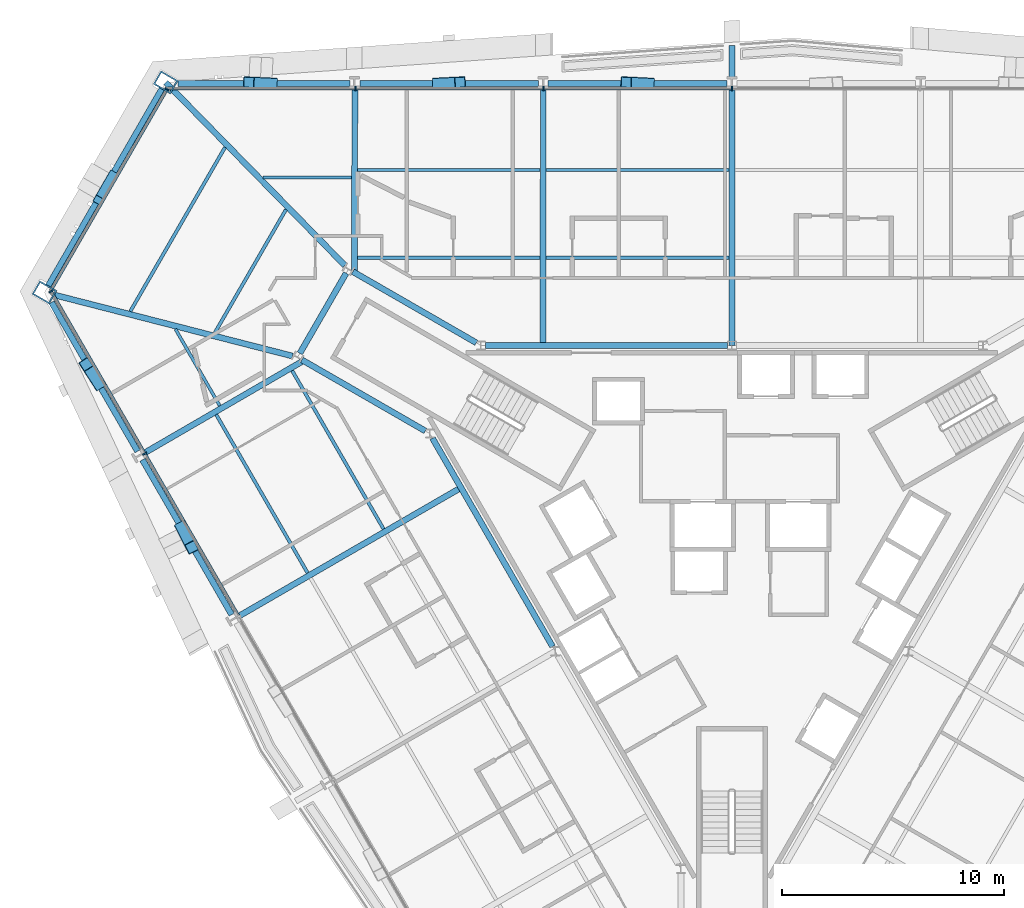
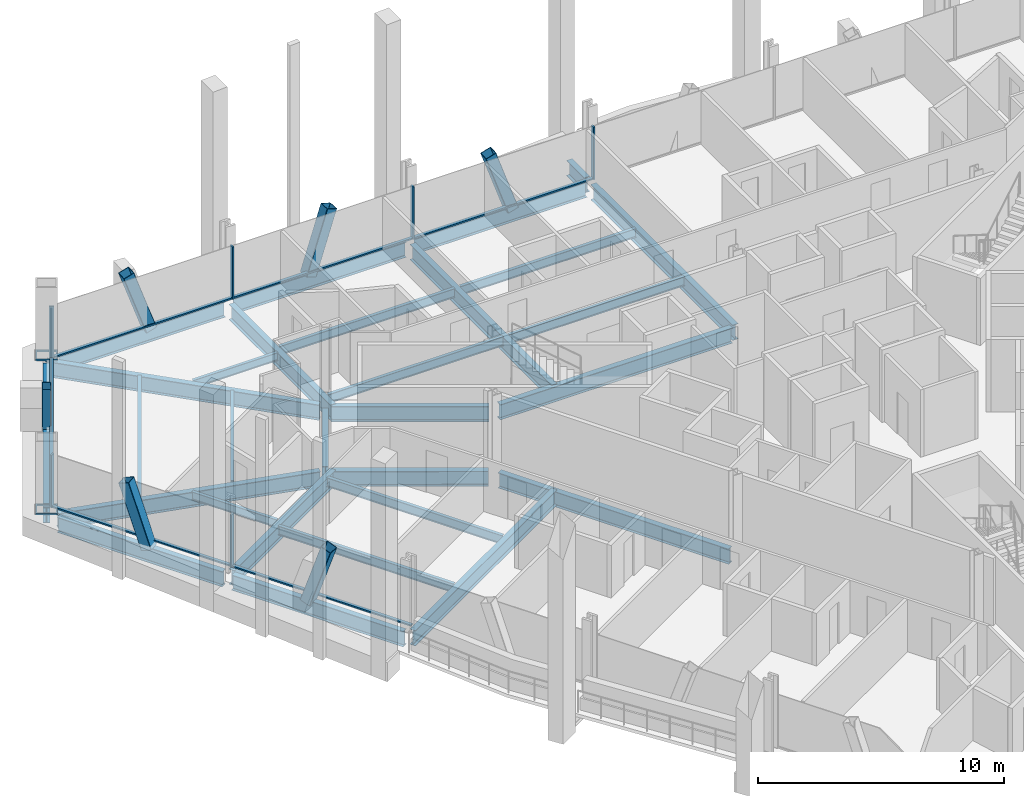
# One storey, part 5 of 18: 29 beams, 20 members, 3 elements without a shape of their own.
"""IFC4 building model written with IfcOpenShell, lengths in metres."""

from ifc_helpers import new_model, si_unit, direction, frame, origin, origin_2d, place, context, subcontext, project, spatial, rectangle, hollow_rectangle, i_section, extrude, material, material_profile, profile_set, type_object, element, aggregate, save


model = new_model("IFC4")

# Units and contexts
model_context = context("Model", 3, precision=1e-05, world=origin(), true_north=direction((0.0, 1.0)))
body_context = subcontext(model_context, "Body", "Model", "MODEL_VIEW")
ifc_project = project(units=[si_unit("LENGTHUNIT", "METRE"), si_unit("AREAUNIT", "SQUARE_METRE"), si_unit("VOLUMEUNIT", "CUBIC_METRE"), si_unit("PLANEANGLEUNIT", "RADIAN"), si_unit("MASSUNIT", "GRAM", prefix="KILO")], contexts=[model_context])

# Site, building, storey
site_placement = place(None, origin())
site = spatial("IfcSite", under=ifc_project, at=site_placement, CompositionType="ELEMENT")
building_placement = place(site_placement, origin())
building = spatial("IfcBuilding", under=site, at=building_placement, Name="Verrane Prism Tower", CompositionType="ELEMENT")
storey_placement = place(building_placement, frame((0.0, 0.0, 47.60009765625)))
storey = spatial("IfcBuildingStorey", under=building, at=storey_placement, Name="L09", CompositionType="ELEMENT", Elevation=47.60009765625)

# Member
ifc_material_1 = material(Name="Steel A500 Grade C", Category="steel")
ifc_material_profile_1 = material_profile(ifc_material_1, hollow_rectangle(XDim=0.355712890625, YDim=0.355712890625, WallThickness=0.0126953125, InnerFilletRadius=0.00634765625, OuterFilletRadius=0.01904296875, at=origin_2d()), Name="HSS14x14x1/2")
ifc_profile_set_1 = profile_set([ifc_material_profile_1], Name="Steel A500 Grade C")
member_type_1 = type_object("IfcMemberType", Name="Chamfer brace HSS14x14x1/2", PredefinedType="BRACE", material=ifc_profile_set_1)
member_1_placement = place(storey_placement, frame((-27.958984375, 16.89501953125, -0.2451171875), z_axis=(-0.19910006136, -0.345106773023, 0.917202529859), x_axis=(0.866185586049, -0.49972245349, 0.0)))
element("IfcMember", 1, at=member_1_placement, inside=storey, type_object=member_type_1, Name="Chamfer brace NW0 L09", PredefinedType="BRACE", context=body_context, shape_type="SweptSolid", body=[
    extrude(hollow_rectangle(XDim=0.355712890625, YDim=0.355712890625, WallThickness=0.0126953125, InnerFilletRadius=0.00634765625, OuterFilletRadius=0.01904296875, at=origin_2d()), origin(), (0.0, 0.0, 1.0), 3.27392578125),
])

# Beams
ifc_material_2 = material(Name="Steel A992", Category="steel")
ifc_material_profile_2 = material_profile(ifc_material_2, i_section(OverallWidth=0.2666015625, OverallDepth=0.76708984375, WebThickness=0.014892578125, FlangeThickness=0.023681640625, FilletRadius=0.0166015625, at=origin_2d()), Name="W30x124")
ifc_profile_set_2 = profile_set([ifc_material_profile_2], Name="Steel A992")
beam_type_1 = type_object("IfcBeamType", Name="Chamfer spandrel beam W30x124", PredefinedType="SPANDREL", material=ifc_profile_set_2)
beam_1_placement = place(storey_placement, frame((-25.724853515625, 20.766845703125, -0.543701171875), z_axis=(-0.499796720239, -0.866142735603, 0.0), x_axis=(0.866142735603, -0.499796720239, 0.0)))
element("IfcBeam", 2, at=beam_1_placement, inside=storey, type_object=beam_type_1, Name="Chamfer spandrel beam L09", PredefinedType="SPANDREL", context=body_context, shape_type="SweptSolid", body=[
    extrude(i_section(OverallWidth=0.2666015625, OverallDepth=0.76708984375, WebThickness=0.014892578125, FlangeThickness=0.023681640625, FilletRadius=0.0166015625, at=origin_2d()), origin(), (0.0, 0.0, 1.0), 10.244873046875),
])
ifc_material_3 = material(Name="Steel A992", Category="steel")
ifc_material_profile_3 = material_profile(ifc_material_3, i_section(OverallWidth=0.2666015625, OverallDepth=0.7568359375, WebThickness=0.013916015625, FlangeThickness=0.019287109375, FilletRadius=0.0166015625, at=origin_2d()), Name="W30x108")
ifc_profile_set_3 = profile_set([ifc_material_profile_3], Name="Steel A992")
beam_type_2 = type_object("IfcBeamType", Name="Core ring girder W30x108", PredefinedType="BEAM", material=ifc_profile_set_3)
beam_2_placement = place(storey_placement, frame((-0.203125, 9.199951171875, -0.628662109375), z_axis=(-1.0, 0.0, 0.0), x_axis=(0.0, -1.0, 0.0)))
element("IfcBeam", 3, at=beam_2_placement, inside=storey, type_object=beam_type_2, Name="Core ring girder L09", PredefinedType="BEAM", context=body_context, shape_type="SweptSolid", body=[
    extrude(i_section(OverallWidth=0.2666015625, OverallDepth=0.7568359375, WebThickness=0.013916015625, FlangeThickness=0.019287109375, FilletRadius=0.0166015625, at=origin_2d()), origin(), (0.0, 0.0, 1.0), 10.923583984375),
])
beam_3_placement = place(storey_placement, frame((-11.533203125, 9.317138671875, -0.628662109375), z_axis=(-0.866447229751, 0.499268663203, 0.0), x_axis=(-0.499268663203, -0.866447229751, 0.0)))
element("IfcBeam", 4, at=beam_3_placement, inside=storey, type_object=beam_type_2, Name="Core ring girder L09", PredefinedType="BEAM", context=body_context, shape_type="SweptSolid", body=[
    extrude(i_section(OverallWidth=0.2666015625, OverallDepth=0.7568359375, WebThickness=0.013916015625, FlangeThickness=0.019287109375, FilletRadius=0.0166015625, at=origin_2d()), origin(), (0.0, 0.0, 1.0), 6.428466796875),
])
beam_4_placement = place(storey_placement, frame((-17.40478515625, 12.45849609375, -0.628662109375), z_axis=(-0.500349643494, -0.865823442888, 0.0), x_axis=(0.865823442888, -0.500349643494, 0.0)))
element("IfcBeam", 5, at=beam_4_placement, inside=storey, type_object=beam_type_2, Name="Core ring girder L09", PredefinedType="BEAM", context=body_context, shape_type="SweptSolid", body=[
    extrude(i_section(OverallWidth=0.2666015625, OverallDepth=0.7568359375, WebThickness=0.013916015625, FlangeThickness=0.019287109375, FilletRadius=0.0166015625, at=origin_2d()), origin(), (0.0, 0.0, 1.0), 4.177734375),
])
beam_5_placement = place(storey_placement, frame((-19.403076171875, 8.54638671875, -0.628662109375), z_axis=(0.86646365882, -0.499240150574, 0.0), x_axis=(0.499240150574, 0.86646365882, 0.0)))
element("IfcBeam", 6, at=beam_5_placement, inside=storey, type_object=beam_type_2, Name="Core ring girder L09", PredefinedType="BEAM", context=body_context, shape_type="SweptSolid", body=[
    extrude(i_section(OverallWidth=0.2666015625, OverallDepth=0.7568359375, WebThickness=0.013916015625, FlangeThickness=0.019287109375, FilletRadius=0.0166015625, at=origin_2d()), origin(), (0.0, 0.0, 1.0), 6.42822265625),
])
beam_6_placement = place(storey_placement, frame((-13.510009765625, 5.01171875, -0.628662109375), z_axis=(0.499371892062, -0.866387738498, 0.0), x_axis=(0.866387738498, 0.499371892062, 0.0)))
element("IfcBeam", 7, at=beam_6_placement, inside=storey, type_object=beam_type_2, Name="Core ring girder L09", PredefinedType="BEAM", context=body_context, shape_type="SweptSolid", body=[
    extrude(i_section(OverallWidth=0.2666015625, OverallDepth=0.7568359375, WebThickness=0.013916015625, FlangeThickness=0.019287109375, FilletRadius=0.0166015625, at=origin_2d()), origin(), (0.0, 0.0, 1.0), 10.853515625),
])
ifc_material_4 = material(Name="Steel A992", Category="steel")
ifc_material_profile_4 = material_profile(ifc_material_4, i_section(OverallWidth=0.2666015625, OverallDepth=0.76708984375, WebThickness=0.014892578125, FlangeThickness=0.023681640625, FilletRadius=0.0166015625, at=origin_2d()), Name="W30x124")
ifc_profile_set_4 = profile_set([ifc_material_profile_4], Name="Steel A992")
beam_type_3 = type_object("IfcBeamType", Name="Corner girder W30x124", PredefinedType="BEAM", material=ifc_profile_set_4)
beam_7_placement = place(storey_placement, frame((-25.548828125, 21.06884765625, -0.603515625), z_axis=(0.699429302474, -0.714701791547, 0.0), x_axis=(0.714701791547, 0.699429302474, 0.0)))
element("IfcBeam", 8, at=beam_7_placement, inside=storey, type_object=beam_type_3, Name="Corner girder L09", PredefinedType="BEAM", context=body_context, shape_type="SweptSolid", body=[
    extrude(i_section(OverallWidth=0.2666015625, OverallDepth=0.76708984375, WebThickness=0.014892578125, FlangeThickness=0.023681640625, FilletRadius=0.0166015625, at=origin_2d()), origin(), (0.0, 0.0, 1.0), 11.5576171875),
])
beam_8_placement = place(storey_placement, frame((-30.5673828125, 11.473876953125, -0.603515625), z_axis=(0.968629214838, -0.248510450813, 0.0), x_axis=(0.248510450813, 0.968629214838, 0.0)))
element("IfcBeam", 9, at=beam_8_placement, inside=storey, type_object=beam_type_3, Name="Corner girder L09", PredefinedType="BEAM", context=body_context, shape_type="SweptSolid", body=[
    extrude(i_section(OverallWidth=0.2666015625, OverallDepth=0.76708984375, WebThickness=0.014892578125, FlangeThickness=0.023681640625, FilletRadius=0.0166015625, at=origin_2d()), origin(), (0.0, 0.0, 1.0), 11.086669921875),
])

# Members
ifc_material_5 = material(Name="Steel A1085 Grade A", Category="steel")
ifc_material_profile_5 = material_profile(ifc_material_5, hollow_rectangle(XDim=0.508056640625, YDim=0.508056640625, WallThickness=0.025390625, InnerFilletRadius=0.0126953125, OuterFilletRadius=0.0380859375, at=origin_2d()), Name="HSS20x20x1")
ifc_profile_set_5 = profile_set([ifc_material_profile_5], Name="Steel A1085 Grade A")
member_type_2 = type_object("IfcMemberType", Name="Facade brace HSS20x20x1", PredefinedType="BRACE", material=ifc_profile_set_5)
member_2_placement = place(storey_placement, frame((-3.74755859375, 21.019287109375, -0.24267578125), z_axis=(-0.321300829182, 0.015984351225, 0.946842266527), x_axis=(-0.049687414985, -0.998764817558, 0.0)))
element("IfcMember", 10, at=member_2_placement, inside=storey, type_object=member_type_2, Name="Facade brace N3 L09", PredefinedType="BRACE", context=body_context, shape_type="SweptSolid", body=[
    extrude(hollow_rectangle(XDim=0.508056640625, YDim=0.508056640625, WallThickness=0.025390625, InnerFilletRadius=0.0126953125, OuterFilletRadius=0.0380859375, at=origin_2d()), origin(), (0.0, 0.0, 1.0), 3.177001953125),
])
member_3_placement = place(storey_placement, frame((-13.26904296875, 21.019287109375, -0.24267578125), z_axis=(0.316325789682, 0.016012597774, 0.948515467188), x_axis=(-0.050555857115, 0.998721235036, 0.0)))
element("IfcMember", 11, at=member_3_placement, inside=storey, type_object=member_type_2, Name="Facade brace N4 L09", PredefinedType="BRACE", context=body_context, shape_type="SweptSolid", body=[
    extrude(hollow_rectangle(XDim=0.508056640625, YDim=0.508056640625, WallThickness=0.025390625, InnerFilletRadius=0.0126953125, OuterFilletRadius=0.0380859375, at=origin_2d()), origin(), (0.0, 0.0, 1.0), 3.17138671875),
])
member_4_placement = place(storey_placement, frame((-20.759765625, 21.019287109375, -0.24267578125), z_axis=(-0.325838040976, 0.015958161649, 0.945290911905), x_axis=(-0.048917115844, -0.998802841294, 0.0)))
element("IfcMember", 12, at=member_4_placement, inside=storey, type_object=member_type_2, Name="Facade brace N5 L09", PredefinedType="BRACE", context=body_context, shape_type="SweptSolid", body=[
    extrude(hollow_rectangle(XDim=0.508056640625, YDim=0.508056640625, WallThickness=0.025390625, InnerFilletRadius=0.0126953125, OuterFilletRadius=0.0380859375, at=origin_2d()), origin(), (0.0, 0.0, 1.0), 3.18212890625),
])
member_5_placement = place(storey_placement, frame((-28.581298828125, 7.4716796875, -0.24267578125), z_axis=(-0.176632688718, 0.273926454702, 0.945391554167), x_axis=(-0.840428081758, -0.541923093615, 0.0)))
element("IfcMember", 13, at=member_5_placement, inside=storey, type_object=member_type_2, Name="Facade brace SW0 L09", PredefinedType="BRACE", context=body_context, shape_type="SweptSolid", body=[
    extrude(hollow_rectangle(XDim=0.508056640625, YDim=0.508056640625, WallThickness=0.025390625, InnerFilletRadius=0.0126953125, OuterFilletRadius=0.0380859375, at=origin_2d()), origin(), (0.0, 0.0, 1.0), 3.181884765625),
])
member_6_placement = place(storey_placement, frame((-24.838134765625, 0.983642578125, -0.24267578125), z_axis=(0.144253831639, -0.282272572369, 0.948426605988), x_axis=(0.890458735795, 0.455063995331, 0.0)))
element("IfcMember", 14, at=member_6_placement, inside=storey, type_object=member_type_2, Name="Facade brace SW1 L09", PredefinedType="BRACE", context=body_context, shape_type="SweptSolid", body=[
    extrude(hollow_rectangle(XDim=0.508056640625, YDim=0.508056640625, WallThickness=0.025390625, InnerFilletRadius=0.0126953125, OuterFilletRadius=0.0380859375, at=origin_2d()), origin(), (0.0, 0.0, 1.0), 3.171630859375),
])

# Beams
ifc_material_6 = material(Name="Steel A992", Category="steel")
ifc_material_profile_6 = material_profile(ifc_material_6, i_section(OverallWidth=0.140380859375, OverallDepth=0.40380859375, WebThickness=0.007080078125, FlangeThickness=0.01123046875, FilletRadius=0.01025390625, at=origin_2d()), Name="W16x31")
ifc_profile_set_6 = profile_set([ifc_material_profile_6], Name="Steel A992")
beam_type_4 = type_object("IfcBeamType", Name="Floor beam W16x31", PredefinedType="BEAM", material=ifc_profile_set_6)
beam_9_placement = place(storey_placement, frame((-21.159912109375, 16.77490234375, -0.362060546875), z_axis=(1.0, 0.0, 0.0), x_axis=(0.0, 1.0, 0.0)))
element("IfcBeam", 15, at=beam_9_placement, inside=storey, type_object=beam_type_4, Name="Floor beam L09", PredefinedType="BEAM", context=body_context, shape_type="SweptSolid", body=[
    extrude(i_section(OverallWidth=0.140380859375, OverallDepth=0.40380859375, WebThickness=0.007080078125, FlangeThickness=0.01123046875, FilletRadius=0.01025390625, at=origin_2d()), origin(), (0.0, 0.0, 1.0), 3.996337890625),
])
beam_10_placement = place(storey_placement, frame((-23.113525390625, 6.4794921875, -0.362060546875), z_axis=(-0.500001357645, 0.866024619946, 0.0), x_axis=(-0.866024619946, -0.500001357645, 0.0)))
element("IfcBeam", 16, at=beam_10_placement, inside=storey, type_object=beam_type_4, Name="Floor beam L09", PredefinedType="BEAM", context=body_context, shape_type="SweptSolid", body=[
    extrude(i_section(OverallWidth=0.140380859375, OverallDepth=0.40380859375, WebThickness=0.007080078125, FlangeThickness=0.01123046875, FilletRadius=0.01025390625, at=origin_2d()), origin(), (0.0, 0.0, 1.0), 3.99072265625),
])
ifc_material_7 = material(Name="Steel A992", Category="steel")
ifc_material_profile_7 = material_profile(ifc_material_7, i_section(OverallWidth=0.15234375, OverallDepth=0.449462890625, WebThickness=0.007568359375, FlangeThickness=0.0107421875, FilletRadius=0.01025390625, at=origin_2d()), Name="W18x35")
ifc_profile_set_7 = profile_set([ifc_material_profile_7], Name="Steel A992")
beam_type_5 = type_object("IfcBeamType", Name="Floor beam W18x35", PredefinedType="BEAM", material=ifc_profile_set_7)
for number, where, z_axis, x_axis, name in (
    (17, (-8.386474609375, 13.15673828125, -0.385009765625), (1.0, 0.0, 0.0), (0.0, 1.0, 0.0), "Floor beam L09"),
    (18, (-8.386474609375, 17.11328125, -0.385009765625), (1.0, 0.0, 0.0), (0.0, 1.0, 0.0), "Floor beam L09"),
):
    element("IfcBeam", number, at=place(storey_placement, frame(where, z_axis=z_axis, x_axis=x_axis)), inside=storey, type_object=beam_type_5, Name=name, PredefinedType="BEAM", context=body_context, shape_type="SweptSolid", body=[
        extrude(i_section(OverallWidth=0.15234375, OverallDepth=0.449462890625, WebThickness=0.007568359375, FlangeThickness=0.0107421875, FilletRadius=0.01025390625, at=origin_2d()), origin(), (0.0, 0.0, 1.0), 8.2529296875),
    ])
for number, where, z_axis, x_axis, name in (
    (19, (-16.896484375, 13.15673828125, -0.385009765625), (1.0, 0.0, 0.0), (0.0, 1.0, 0.0), "Floor beam L09"),
    (20, (-16.896484375, 17.11328125, -0.385009765625), (1.0, 0.0, 0.0), (0.0, 1.0, 0.0), "Floor beam L09"),
):
    element("IfcBeam", number, at=place(storey_placement, frame(where, z_axis=z_axis, x_axis=x_axis)), inside=storey, type_object=beam_type_5, Name=name, PredefinedType="BEAM", context=body_context, shape_type="SweptSolid", body=[
        extrude(i_section(OverallWidth=0.15234375, OverallDepth=0.449462890625, WebThickness=0.007568359375, FlangeThickness=0.0107421875, FilletRadius=0.01025390625, at=origin_2d()), origin(), (0.0, 0.0, 1.0), 8.242919921875),
    ])
beam_11_placement = place(storey_placement, frame((-15.716796875, 0.91552734375, -0.385009765625), z_axis=(-0.499996545922, 0.866027397988, 0.0), x_axis=(-0.866027397988, -0.499996545922, 0.0)))
element("IfcBeam", 21, at=beam_11_placement, inside=storey, type_object=beam_type_5, Name="Floor beam L09", PredefinedType="BEAM", context=body_context, shape_type="SweptSolid", body=[
    extrude(i_section(OverallWidth=0.15234375, OverallDepth=0.449462890625, WebThickness=0.007568359375, FlangeThickness=0.0107421875, FilletRadius=0.01025390625, at=origin_2d()), origin(), (0.0, 0.0, 1.0), 8.25),
])
beam_12_placement = place(storey_placement, frame((-19.146728515625, -1.064453125, -0.385009765625), z_axis=(-0.499987164874, 0.866032814021, 0.0), x_axis=(-0.866032814021, -0.499987164874, 0.0)))
element("IfcBeam", 22, at=beam_12_placement, inside=storey, type_object=beam_type_5, Name="Floor beam L09", PredefinedType="BEAM", context=body_context, shape_type="SweptSolid", body=[
    extrude(i_section(OverallWidth=0.15234375, OverallDepth=0.449462890625, WebThickness=0.007568359375, FlangeThickness=0.0107421875, FilletRadius=0.01025390625, at=origin_2d()), origin(), (0.0, 0.0, 1.0), 8.249755859375),
])
beam_13_placement = place(storey_placement, frame((-23.337158203125, 9.756591796875, -0.385009765625), z_axis=(0.49999063097, 0.866030812929, 0.0), x_axis=(-0.866030812929, 0.49999063097, 0.0)))
element("IfcBeam", 23, at=beam_13_placement, inside=storey, type_object=beam_type_5, Name="Floor beam L09", PredefinedType="BEAM", context=body_context, shape_type="SweptSolid", body=[
    extrude(i_section(OverallWidth=0.15234375, OverallDepth=0.449462890625, WebThickness=0.007568359375, FlangeThickness=0.0107421875, FilletRadius=0.01025390625, at=origin_2d()), origin(), (0.0, 0.0, 1.0), 6.435546875),
])
beam_14_placement = place(storey_placement, frame((-27.145263671875, 10.733642578125, -0.385009765625), z_axis=(0.499989342298, 0.866031556924, 0.0), x_axis=(-0.866031556924, 0.499989342298, 0.0)))
element("IfcBeam", 24, at=beam_14_placement, inside=storey, type_object=beam_type_5, Name="Floor beam L09", PredefinedType="BEAM", context=body_context, shape_type="SweptSolid", body=[
    extrude(i_section(OverallWidth=0.15234375, OverallDepth=0.449462890625, WebThickness=0.007568359375, FlangeThickness=0.0107421875, FilletRadius=0.01025390625, at=origin_2d()), origin(), (0.0, 0.0, 1.0), 8.552001953125),
])

# Members
ifc_material_8 = material(Name="Steel A572 Grade 50", Category="steel")
ifc_material_profile_8 = material_profile(ifc_material_8, hollow_rectangle(XDim=0.699951171875, YDim=0.89990234375, WallThickness=0.06494140625, at=origin_2d()), Name="BOX 900x700x65")
ifc_profile_set_8 = profile_set([ifc_material_profile_8], Name="Steel A572 Grade 50")
member_type_3 = type_object("IfcMemberType", Name="Kink node BOX 900x700x65", PredefinedType="COLLAR", material=ifc_profile_set_8)
for number, where, z_axis, x_axis, name in (
    (25, (-25.549072265625, 21.068359375, -0.0400390625), (0.0, 0.0, 1.0), (0.5, 0.866025403784, 0.0), "Kink node MC3 L09"),
    (26, (-31.01806640625, 11.590087890625, -0.0400390625), (0.0, 0.0, 1.0), (0.5, 0.866025403784, 0.0), "Kink node MC3 L09"),
):
    element("IfcMember", number, at=place(storey_placement, frame(where, z_axis=z_axis, x_axis=x_axis)), inside=storey, type_object=member_type_3, Name=name, PredefinedType="COLLAR", context=body_context, shape_type="SweptSolid", body=[
        extrude(hollow_rectangle(XDim=0.699951171875, YDim=0.89990234375, WallThickness=0.06494140625, at=origin_2d()), origin(), (0.0, 0.0, 1.0), 0.079833984375),
    ])

# Curtain wall, members
ifc_material_9 = material(Name="Aluminium framed insulated glazing", Category="aluminium")
curtain_wall_type = type_object("IfcCurtainWallType", Name="Curtain wall CW-A 8400 module", PredefinedType="NOTDEFINED", material=ifc_material_9)
curtain_wall_1_placement = place(storey_placement, origin())
curtain_wall_1 = element("IfcCurtainWall", 27, at=curtain_wall_1_placement, inside=storey, type_object=curtain_wall_type, Name="Glazed curtain wall north face L09", PredefinedType="NOTDEFINED")
ifc_material_10 = material(Name="Aluminium alloy 6063-T6", Category="aluminium")
ifc_material_profile_9 = material_profile(ifc_material_10, rectangle(XDim=0.199951171875, YDim=0.070068359375, at=origin_2d()), Name="Mullion 70x200 aluminium")
ifc_profile_set_9 = profile_set([ifc_material_profile_9], Name="Aluminium alloy 6063-T6")
member_type_4 = type_object("IfcMemberType", Name="Mullion 70x200 aluminium", PredefinedType="MULLION", material=ifc_profile_set_9)
member_7_placement = place(storey_placement, frame((0.0, 20.791015625, 0.0), z_axis=(0.0, 0.0, 1.0), x_axis=(0.0, -1.0, 0.0)))
member_7 = element("IfcMember", 28, at=member_7_placement, type_object=member_type_4, Name="CW09.2 mullion 4", PredefinedType="MULLION", context=body_context, shape_type="SweptSolid", body=[
    extrude(rectangle(XDim=0.199951171875, YDim=0.070068359375, at=origin_2d()), origin(), (0.0, 0.0, 1.0), 2.61279296875),
])
member_8_placement = place(storey_placement, frame((-8.49169921875, 20.791015625, 0.0), z_axis=(0.0, 0.0, 1.0), x_axis=(0.0, -1.0, 0.0)))
member_8 = element("IfcMember", 29, at=member_8_placement, type_object=member_type_4, Name="CW09.2 mullion 5", PredefinedType="MULLION", context=body_context, shape_type="SweptSolid", body=[
    extrude(rectangle(XDim=0.199951171875, YDim=0.070068359375, at=origin_2d()), origin(), (0.0, 0.0, 1.0), 2.61279296875),
])
member_9_placement = place(storey_placement, frame((-16.9833984375, 20.791015625, 0.0), z_axis=(0.0, 0.0, 1.0), x_axis=(0.0, -1.0, 0.0)))
member_9 = element("IfcMember", 30, at=member_9_placement, type_object=member_type_4, Name="CW09.2 mullion 6", PredefinedType="MULLION", context=body_context, shape_type="SweptSolid", body=[
    extrude(rectangle(XDim=0.199951171875, YDim=0.070068359375, at=origin_2d()), origin(), (0.0, 0.0, 1.0), 2.61279296875),
])

# Curtain wall, member
curtain_wall_2_placement = place(storey_placement, origin())
curtain_wall_2 = element("IfcCurtainWall", 31, at=curtain_wall_2_placement, inside=storey, type_object=curtain_wall_type, Name="Glazed curtain wall north-west corner L09", PredefinedType="NOTDEFINED")
member_10_placement = place(storey_placement, frame((-25.49267578125, 20.7607421875, 0.0), z_axis=(0.0, 0.0, 1.0), x_axis=(0.866026104978, -0.499998785495, 0.0)))
member_10 = element("IfcMember", 32, at=member_10_placement, type_object=member_type_4, Name="CW09.3 mullion 1", PredefinedType="MULLION", context=body_context, shape_type="SweptSolid", body=[
    extrude(rectangle(XDim=0.199951171875, YDim=0.070068359375, at=origin_2d()), origin(), (0.0, 0.0, 1.0), 2.61279296875),
])

# Curtain wall, members
curtain_wall_3_placement = place(storey_placement, origin())
curtain_wall_3 = element("IfcCurtainWall", 33, at=curtain_wall_3_placement, inside=storey, type_object=curtain_wall_type, Name="Glazed curtain wall south-west face L09", PredefinedType="NOTDEFINED")
member_11_placement = place(storey_placement, frame((-30.7255859375, 11.636474609375, 0.0), z_axis=(0.0, 0.0, 1.0), x_axis=(0.866025694591, 0.499999496308, 0.0)))
member_11 = element("IfcMember", 34, at=member_11_placement, type_object=member_type_4, Name="CW09.4 mullion 1", PredefinedType="MULLION", context=body_context, shape_type="SweptSolid", body=[
    extrude(rectangle(XDim=0.199951171875, YDim=0.070068359375, at=origin_2d()), origin(), (0.0, 0.0, 1.0), 2.61279296875),
])
member_12_placement = place(storey_placement, frame((-26.497314453125, 4.312744140625, 0.0), z_axis=(0.0, 0.0, 1.0), x_axis=(0.866025694591, 0.499999496308, 0.0)))
member_12 = element("IfcMember", 35, at=member_12_placement, type_object=member_type_4, Name="CW09.4 mullion 2", PredefinedType="MULLION", context=body_context, shape_type="SweptSolid", body=[
    extrude(rectangle(XDim=0.199951171875, YDim=0.070068359375, at=origin_2d()), origin(), (0.0, 0.0, 1.0), 2.61279296875),
])

# Beams
ifc_material_11 = material(Name="Steel A992", Category="steel")
ifc_material_profile_10 = material_profile(ifc_material_11, i_section(OverallWidth=0.2666015625, OverallDepth=0.76708984375, WebThickness=0.014892578125, FlangeThickness=0.023681640625, FilletRadius=0.0166015625, at=origin_2d()), Name="W30x124")
ifc_profile_set_10 = profile_set([ifc_material_profile_10], Name="Steel A992")
beam_type_6 = type_object("IfcBeamType", Name="Radial girder W30x124", PredefinedType="BEAM", material=ifc_profile_set_10)
for number, where, z_axis, x_axis, name in (
    (36, (0.0, 20.753662109375, -0.603515625), (0.0, -1.0, 0.0), (1.0, 0.0, 0.0), "Radial girder L09"),
    (37, (-8.510009765625, 20.753662109375, -0.603515625), (-0.000866367691, -0.999999624703, 0.0), (0.999999624703, -0.000866367691, 0.0), "Radial girder L09"),
):
    element("IfcBeam", number, at=place(storey_placement, frame(where, z_axis=z_axis, x_axis=x_axis)), inside=storey, type_object=beam_type_6, Name=name, PredefinedType="BEAM", context=body_context, shape_type="SweptSolid", body=[
        extrude(i_section(OverallWidth=0.2666015625, OverallDepth=0.76708984375, WebThickness=0.014892578125, FlangeThickness=0.023681640625, FilletRadius=0.0166015625, at=origin_2d()), origin(), (0.0, 0.0, 1.0), 11.5537109375),
    ])
beam_15_placement = place(storey_placement, frame((-17.011962890625, 20.753662109375, -0.603515625), z_axis=(-0.00218475461, -0.999997613421, 0.0), x_axis=(0.999997613421, -0.00218475461, 0.0)))
element("IfcBeam", 38, at=beam_15_placement, inside=storey, type_object=beam_type_6, Name="Radial girder L09", PredefinedType="BEAM", context=body_context, shape_type="SweptSolid", body=[
    extrude(i_section(OverallWidth=0.2666015625, OverallDepth=0.76708984375, WebThickness=0.014892578125, FlangeThickness=0.023681640625, FilletRadius=0.0166015625, at=origin_2d()), origin(), (0.0, 0.0, 1.0), 8.269287109375),
])
beam_16_placement = place(storey_placement, frame((-26.477783203125, 4.36181640625, -0.603515625), z_axis=(0.86491107798, 0.501925121096, 0.0), x_axis=(-0.501925121096, 0.86491107798, 0.0)))
element("IfcBeam", 39, at=beam_16_placement, inside=storey, type_object=beam_type_6, Name="Radial girder L09", PredefinedType="BEAM", context=body_context, shape_type="SweptSolid", body=[
    extrude(i_section(OverallWidth=0.2666015625, OverallDepth=0.76708984375, WebThickness=0.014892578125, FlangeThickness=0.023681640625, FilletRadius=0.0166015625, at=origin_2d()), origin(), (0.0, 0.0, 1.0), 8.2587890625),
])
beam_17_placement = place(storey_placement, frame((-22.231201171875, -3.010009765625, -0.603515625), z_axis=(0.865616575533, 0.500707443686, 0.0), x_axis=(-0.500707443686, 0.865616575533, 0.0)))
element("IfcBeam", 40, at=beam_17_placement, inside=storey, type_object=beam_type_6, Name="Radial girder L09", PredefinedType="BEAM", context=body_context, shape_type="SweptSolid", body=[
    extrude(i_section(OverallWidth=0.2666015625, OverallDepth=0.76708984375, WebThickness=0.014892578125, FlangeThickness=0.023681640625, FilletRadius=0.0166015625, at=origin_2d()), origin(), (0.0, 0.0, 1.0), 11.561767578125),
])
beam_18_placement = place(storey_placement, frame((0.0, 21.280517578125, -0.603515625), z_axis=(0.0, 1.0, 0.0), x_axis=(-1.0, 0.0, 0.0)))
element("IfcBeam", 41, at=beam_18_placement, inside=storey, type_object=beam_type_6, Name="Cantilever girder L09", PredefinedType="BEAM", context=body_context, shape_type="SweptSolid", body=[
    extrude(i_section(OverallWidth=0.2666015625, OverallDepth=0.76708984375, WebThickness=0.014892578125, FlangeThickness=0.023681640625, FilletRadius=0.0166015625, at=origin_2d()), origin(), (0.0, 0.0, 1.0), 1.443359375),
])
ifc_material_12 = material(Name="Steel A992", Category="steel")
ifc_material_profile_11 = material_profile(ifc_material_12, i_section(OverallWidth=0.2666015625, OverallDepth=0.7568359375, WebThickness=0.013916015625, FlangeThickness=0.019287109375, FilletRadius=0.0166015625, at=origin_2d()), Name="W30x108")
ifc_profile_set_11 = profile_set([ifc_material_profile_11], Name="Steel A992")
beam_type_7 = type_object("IfcBeamType", Name="Spandrel beam W30x108", PredefinedType="SPANDREL", material=ifc_profile_set_11)
beam_19_placement = place(storey_placement, frame((-0.220947265625, 21.019287109375, -0.53857421875), z_axis=(-1.0, 0.0, 0.0), x_axis=(0.0, -1.0, 0.0)))
element("IfcBeam", 42, at=beam_19_placement, inside=storey, type_object=beam_type_7, Name="Spandrel beam L09", PredefinedType="SPANDREL", context=body_context, shape_type="SweptSolid", body=[
    extrude(i_section(OverallWidth=0.2666015625, OverallDepth=0.7568359375, WebThickness=0.013916015625, FlangeThickness=0.019287109375, FilletRadius=0.0166015625, at=origin_2d()), origin(), (0.0, 0.0, 1.0), 8.06787109375),
])
beam_20_placement = place(storey_placement, frame((-8.730712890625, 21.019287109375, -0.53857421875), z_axis=(-1.0, 0.0, 0.0), x_axis=(0.0, -1.0, 0.0)))
element("IfcBeam", 43, at=beam_20_placement, inside=storey, type_object=beam_type_7, Name="Spandrel beam L09", PredefinedType="SPANDREL", context=body_context, shape_type="SweptSolid", body=[
    extrude(i_section(OverallWidth=0.2666015625, OverallDepth=0.7568359375, WebThickness=0.013916015625, FlangeThickness=0.019287109375, FilletRadius=0.0166015625, at=origin_2d()), origin(), (0.0, 0.0, 1.0), 8.0595703125),
])
beam_21_placement = place(storey_placement, frame((-17.232421875, 21.019287109375, -0.53857421875), z_axis=(-1.0, 0.0, 0.0), x_axis=(0.0, -1.0, 0.0)))
element("IfcBeam", 44, at=beam_21_placement, inside=storey, type_object=beam_type_7, Name="Spandrel beam L09", PredefinedType="SPANDREL", context=body_context, shape_type="SweptSolid", body=[
    extrude(i_section(OverallWidth=0.2666015625, OverallDepth=0.7568359375, WebThickness=0.013916015625, FlangeThickness=0.019287109375, FilletRadius=0.0166015625, at=origin_2d()), origin(), (0.0, 0.0, 1.0), 7.767578125),
])
beam_22_placement = place(storey_placement, frame((-30.70068359375, 11.14013671875, -0.53857421875), z_axis=(0.500256110258, -0.865877487956, 0.0), x_axis=(0.865877487956, 0.500256110258, 0.0)))
element("IfcBeam", 45, at=beam_22_placement, inside=storey, type_object=beam_type_7, Name="Spandrel beam L09", PredefinedType="SPANDREL", context=body_context, shape_type="SweptSolid", body=[
    extrude(i_section(OverallWidth=0.2666015625, OverallDepth=0.7568359375, WebThickness=0.013916015625, FlangeThickness=0.019287109375, FilletRadius=0.0166015625, at=origin_2d()), origin(), (0.0, 0.0, 1.0), 7.76123046875),
])
beam_23_placement = place(storey_placement, frame((-26.59716796875, 4.037109375, -0.53857421875), z_axis=(0.499154571074, -0.866512962497, 0.0), x_axis=(0.866512962497, 0.499154571074, 0.0)))
element("IfcBeam", 46, at=beam_23_placement, inside=storey, type_object=beam_type_7, Name="Spandrel beam L09", PredefinedType="SPANDREL", context=body_context, shape_type="SweptSolid", body=[
    extrude(i_section(OverallWidth=0.2666015625, OverallDepth=0.7568359375, WebThickness=0.013916015625, FlangeThickness=0.019287109375, FilletRadius=0.0166015625, at=origin_2d()), origin(), (0.0, 0.0, 1.0), 8.0654296875),
])

# Member
ifc_material_13 = material(Name="Aluminium alloy 6063-T6", Category="aluminium")
ifc_material_profile_12 = material_profile(ifc_material_13, rectangle(XDim=0.14990234375, YDim=0.070068359375, at=origin_2d()), Name="Transom 70x150 aluminium")
ifc_profile_set_12 = profile_set([ifc_material_profile_12], Name="Aluminium alloy 6063-T6")
member_type_5 = type_object("IfcMemberType", Name="Transom 70x150 aluminium", PredefinedType="USERDEFINED", material=ifc_profile_set_12)
member_13_placement = place(storey_placement, frame((-0.034912109375, 20.791015625, 0.034912109375), z_axis=(-1.0, 0.0, 0.0), x_axis=(0.0, -1.0, 0.0)))
member_13 = element("IfcMember", 47, at=member_13_placement, type_object=member_type_5, Name="CW09.2 transom 4", ObjectType="TRANSOM", PredefinedType="USERDEFINED", context=body_context, shape_type="SweptSolid", body=[
    extrude(rectangle(XDim=0.14990234375, YDim=0.070068359375, at=origin_2d()), origin(), (0.0, 0.0, 1.0), 8.421875),
])

member_14_placement = place(storey_placement, frame((-8.526611328125, 20.791015625, 0.034912109375), z_axis=(-1.0, 0.0, 0.0), x_axis=(0.0, -1.0, 0.0)))
member_14 = element("IfcMember", 48, at=member_14_placement, type_object=member_type_5, Name="CW09.2 transom 5", ObjectType="TRANSOM", PredefinedType="USERDEFINED", context=body_context, shape_type="SweptSolid", body=[
    extrude(rectangle(XDim=0.14990234375, YDim=0.070068359375, at=origin_2d()), origin(), (0.0, 0.0, 1.0), 8.421875),
])

member_15_placement = place(storey_placement, frame((-17.0185546875, 20.791015625, 0.034912109375), z_axis=(-1.0, 0.0, 0.0), x_axis=(0.0, -1.0, 0.0)))
member_15 = element("IfcMember", 49, at=member_15_placement, type_object=member_type_5, Name="CW09.2 transom 6", ObjectType="TRANSOM", PredefinedType="USERDEFINED", context=body_context, shape_type="SweptSolid", body=[
    extrude(rectangle(XDim=0.14990234375, YDim=0.070068359375, at=origin_2d()), origin(), (0.0, 0.0, 1.0), 8.45654296875),
])

aggregate(curtain_wall_1, [member_7, member_8, member_9, member_13, member_14, member_15])

member_16_placement = place(storey_placement, frame((-25.51025390625, 20.73046875, 0.034912109375), z_axis=(-0.499997747565, -0.866026704225, 0.0), x_axis=(0.866026704225, -0.499997747565, 0.0)))
member_16 = element("IfcMember", 50, at=member_16_placement, type_object=member_type_5, Name="CW09.3 transom 1", ObjectType="TRANSOM", PredefinedType="USERDEFINED", context=body_context, shape_type="SweptSolid", body=[
    extrude(rectangle(XDim=0.14990234375, YDim=0.070068359375, at=origin_2d()), origin(), (0.0, 0.0, 1.0), 10.4658203125),
])

aggregate(curtain_wall_2, [member_10, member_16])

member_17_placement = place(storey_placement, frame((-30.7080078125, 11.60595703125, 0.034912109375), z_axis=(0.500008882625, -0.866020275338, 0.0), x_axis=(0.866020275338, 0.500008882625, 0.0)))
member_17 = element("IfcMember", 51, at=member_17_placement, type_object=member_type_5, Name="CW09.4 transom 1", ObjectType="TRANSOM", PredefinedType="USERDEFINED", context=body_context, shape_type="SweptSolid", body=[
    extrude(rectangle(XDim=0.14990234375, YDim=0.070068359375, at=origin_2d()), origin(), (0.0, 0.0, 1.0), 8.386474609375),
])

member_18_placement = place(storey_placement, frame((-26.479736328125, 4.2822265625, 0.034912109375), z_axis=(0.500005175824, -0.866022415501, 0.0), x_axis=(0.866022415501, 0.500005175824, 0.0)))
member_18 = element("IfcMember", 52, at=member_18_placement, type_object=member_type_5, Name="CW09.4 transom 2", ObjectType="TRANSOM", PredefinedType="USERDEFINED", context=body_context, shape_type="SweptSolid", body=[
    extrude(rectangle(XDim=0.14990234375, YDim=0.070068359375, at=origin_2d()), origin(), (0.0, 0.0, 1.0), 8.421875),
])

aggregate(curtain_wall_3, [member_11, member_12, member_17, member_18])

save(model, "model.ifc")
